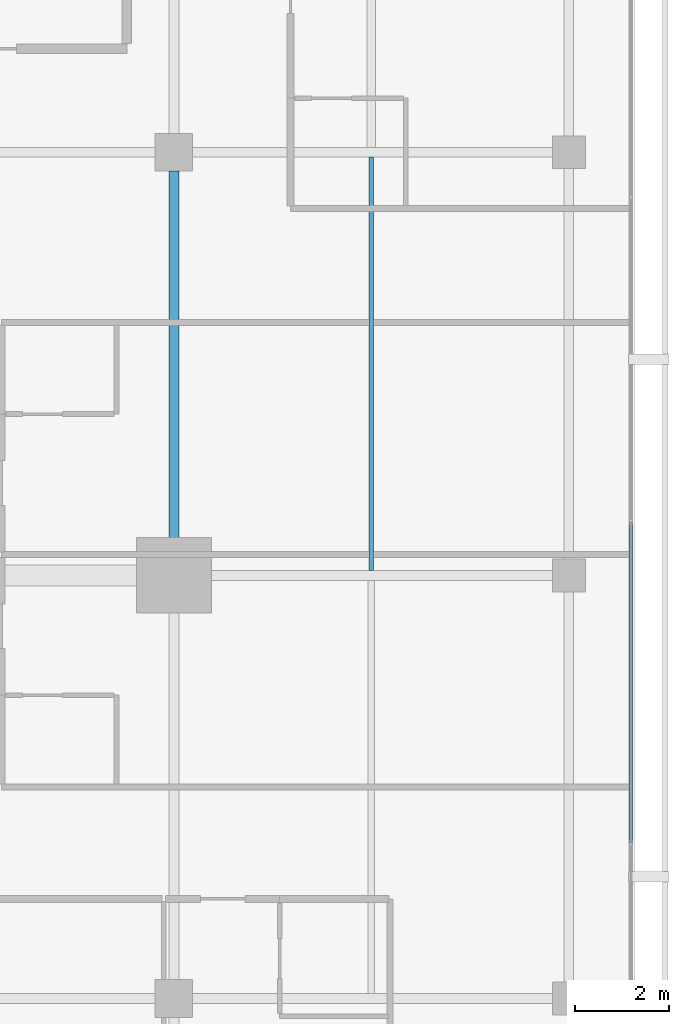
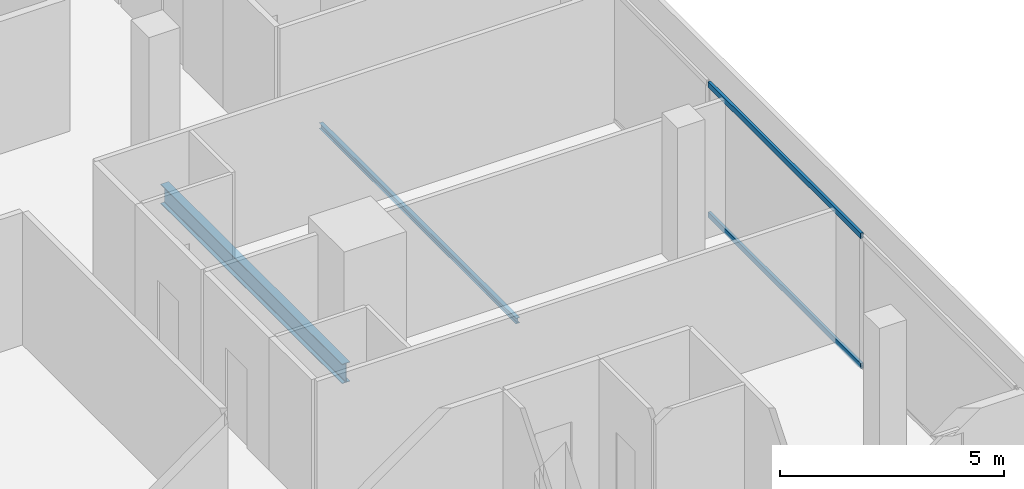
# One storey, part 13 of 25: 2 beams, 2 members, 1 element without a shape of its own.
"""IFC4 building model written with IfcOpenShell, lengths in metres."""

from ifc_helpers import new_model, si_unit, direction, frame, origin, origin_2d, place, context, subcontext, project, spatial, hollow_rectangle, i_section, extrude, material, layer, layer_set, material_profile, profile_set, type_object, element, aggregate, save


model = new_model("IFC4")

# Units and contexts
model_context = context("Model", 3, precision=1e-05, world=origin(), true_north=direction((0.0, 1.0)))
body_context = subcontext(model_context, "Body", "Model", "MODEL_VIEW")
ifc_project = project(units=[si_unit("LENGTHUNIT", "METRE"), si_unit("AREAUNIT", "SQUARE_METRE"), si_unit("VOLUMEUNIT", "CUBIC_METRE"), si_unit("PLANEANGLEUNIT", "RADIAN"), si_unit("MASSUNIT", "GRAM", prefix="KILO")], contexts=[model_context])

# Site, building, storey
site_placement = place(None, origin())
site = spatial("IfcSite", under=ifc_project, at=site_placement, CompositionType="ELEMENT")
building_placement = place(site_placement, origin())
building = spatial("IfcBuilding", under=site, at=building_placement, Name="Maruvema Waterfront Hotel and Observation Tower", CompositionType="ELEMENT")
storey_placement = place(building_placement, frame((0.0, 0.0, 250.949951171875)))
storey = spatial("IfcBuildingStorey", under=building, at=storey_placement, Name="L61", CompositionType="ELEMENT", Elevation=250.949951171875)

# Curtain wall, members
ifc_material_1 = material(Name="Anodised bronze aluminium and solar-control low-E IGU", Category="aluminium")
ifc_layer = layer(ifc_material_1, 0.159912109375, Name="Zone 3 Champagne Inner Thermal Curtain Wall System CW-04")
ifc_layer_set = layer_set([ifc_layer], Name="Anodised bronze aluminium and solar-control low-E IGU")
curtain_wall_type = type_object("IfcCurtainWallType", Name="Zone 3 Champagne Inner Thermal Curtain Wall System CW-04", PredefinedType="USERDEFINED", material=ifc_layer_set)
curtain_wall_placement = place(storey_placement, origin())
curtain_wall = element("IfcCurtainWall", 1, at=curtain_wall_placement, inside=storey, type_object=curtain_wall_type, Name="L61 Curtain Wall CW-L61-E", ObjectType="UNITISED CURTAIN WALL", PredefinedType="USERDEFINED")
ifc_material_2 = material(Name="Anodised architectural bronze aluminium", Category="aluminium")
ifc_material_profile_1 = material_profile(ifc_material_2, hollow_rectangle(XDim=0.070068359375, YDim=0.14990234375, WallThickness=0.00390625, at=origin_2d()), Name="ALU-T70x150")
ifc_profile_set_1 = profile_set([ifc_material_profile_1], Name="Anodised architectural bronze aluminium")
member_type = type_object("IfcMemberType", Name="Curtain Wall Horizontal Transom ALU-T70x150", PredefinedType="USERDEFINED", material=ifc_profile_set_1)
member_1_placement = place(storey_placement, frame((60.1201171875, 21.31005859375, 0.030029296875), z_axis=(0.0, 1.0, 0.0), x_axis=(-1.0, 0.0, 0.0)))
member_1 = element("IfcMember", 2, at=member_1_placement, type_object=member_type, Name="CW-04 transom 2.1", ObjectType="TRANSOM", PredefinedType="USERDEFINED", context=body_context, shape_type="SweptSolid", body=[
    extrude(hollow_rectangle(XDim=0.070068359375, YDim=0.14990234375, WallThickness=0.00390625, at=origin_2d()), origin(), (0.0, 0.0, 1.0), 6.81982421875),
])
member_2_placement = place(storey_placement, frame((60.1201171875, 21.31005859375, 3.580078125), z_axis=(0.0, 1.0, 0.0), x_axis=(-1.0, 0.0, 0.0)))
member_2 = element("IfcMember", 3, at=member_2_placement, type_object=member_type, Name="CW-04 transom 2.2", ObjectType="TRANSOM", PredefinedType="USERDEFINED", context=body_context, shape_type="SweptSolid", body=[
    extrude(hollow_rectangle(XDim=0.070068359375, YDim=0.14990234375, WallThickness=0.00390625, at=origin_2d()), origin(), (0.0, 0.0, 1.0), 6.81982421875),
])
aggregate(curtain_wall, [member_1, member_2])

# Beams
ifc_material_3 = material(Name="Steel ASTM A572 Grade 50", Category="steel")
ifc_material_profile_2 = material_profile(ifc_material_3, i_section(OverallWidth=0.208984375, OverallDepth=0.532958984375, WebThickness=0.01025390625, FlangeThickness=0.015625, FilletRadius=0.014892578125, at=origin_2d()), Name="W530x92.0")
ifc_profile_set_2 = profile_set([ifc_material_profile_2], Name="Steel ASTM A572 Grade 50")
beam_type_1 = type_object("IfcBeamType", Name="Primary Floor Girder W530x92.0", PredefinedType="BEAM", material=ifc_profile_set_2)
beam_1_placement = place(storey_placement, frame((50.39990234375, 27.5, -0.50634765625), z_axis=(0.0, 1.0, 0.0), x_axis=(-1.0, 0.0, 0.0)))
element("IfcBeam", 4, at=beam_1_placement, inside=storey, type_object=beam_type_1, Name="L61 Floor Girder NS-14", PredefinedType="BEAM", context=body_context, shape_type="SweptSolid", body=[
    extrude(i_section(OverallWidth=0.208984375, OverallDepth=0.532958984375, WebThickness=0.01025390625, FlangeThickness=0.015625, FilletRadius=0.014892578125, at=origin_2d()), origin(), (0.0, 0.0, 1.0), 8.10009765625),
])
ifc_material_4 = material(Name="Steel ASTM A572 Grade 50", Category="steel")
ifc_material_profile_3 = material_profile(ifc_material_4, i_section(OverallWidth=0.10009765625, OverallDepth=0.153076171875, WebThickness=0.005859375, FlangeThickness=0.007080078125, FilletRadius=0.008056640625, at=origin_2d()), Name="W150x18.0")
ifc_profile_set_3 = profile_set([ifc_material_profile_3], Name="Steel ASTM A572 Grade 50")
beam_type_2 = type_object("IfcBeamType", Name="Secondary Floor Joist W150x18.0", PredefinedType="JOIST", material=ifc_profile_set_3)
beam_2_placement = place(storey_placement, frame((54.60009765625, 27.1044921875, -0.31640625), z_axis=(0.0, 1.0, 0.0), x_axis=(-1.0, 0.0, 0.0)))
element("IfcBeam", 5, at=beam_2_placement, inside=storey, type_object=beam_type_2, Name="L61 Secondary Floor Joist JS-08", PredefinedType="JOIST", context=body_context, shape_type="SweptSolid", body=[
    extrude(i_section(OverallWidth=0.10009765625, OverallDepth=0.153076171875, WebThickness=0.005859375, FlangeThickness=0.007080078125, FilletRadius=0.008056640625, at=origin_2d()), origin(), (0.0, 0.0, 1.0), 8.791015625),
])

save(model, "model.ifc")
